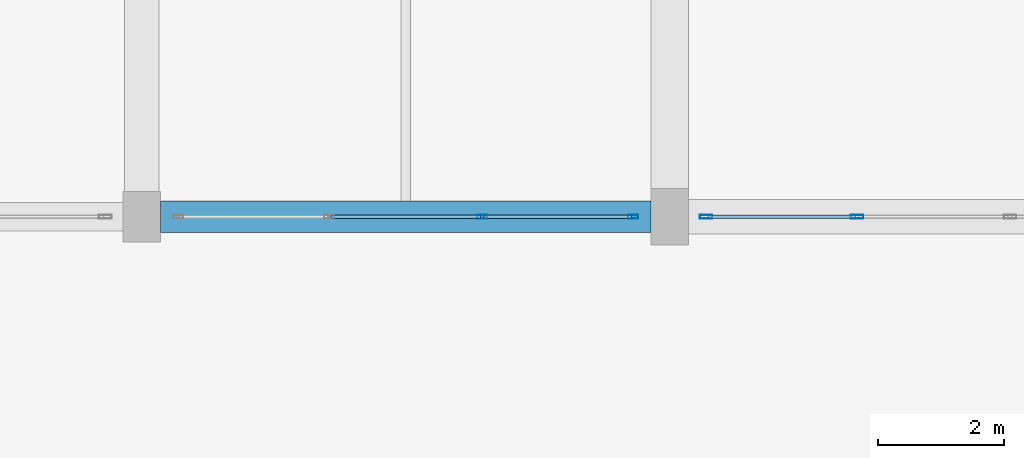
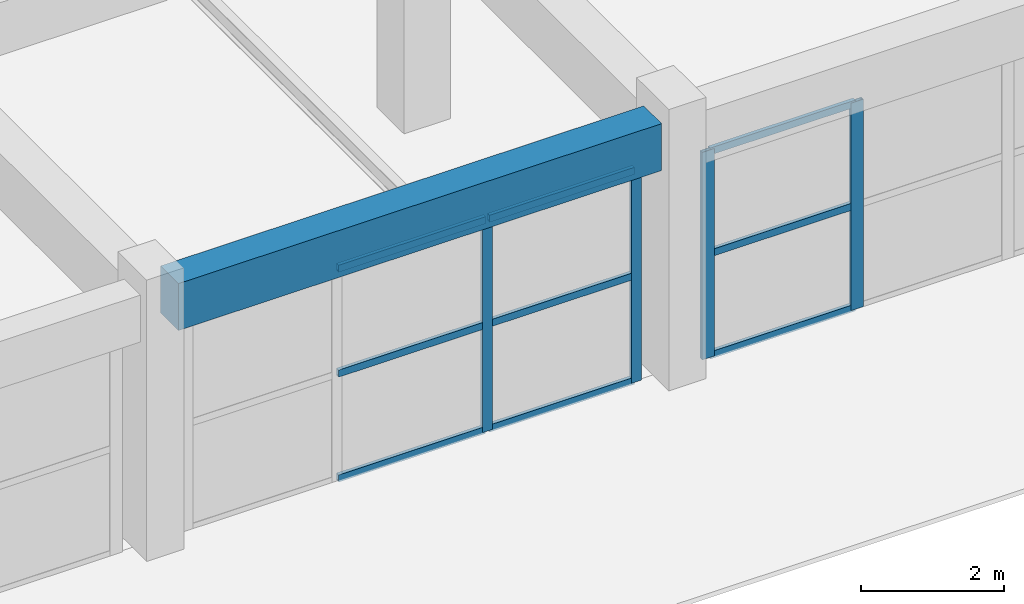
# One storey, part 15 of 72: 13 members, 1 beam, 2 elements without a shape of their own.
"""IFC4 building model written with IfcOpenShell, lengths in metres."""

from ifc_helpers import new_model, si_unit, direction, frame, origin, origin_2d, place, context, subcontext, project, spatial, rectangle, hollow_rectangle, extrude, material, material_profile, profile_set, type_object, element, aggregate, save


model = new_model("IFC4")

# Units and contexts
model_context = context("Model", 3, precision=1e-05, world=origin(), true_north=direction((0.0, 1.0)))
body_context = subcontext(model_context, "Body", "Model", "MODEL_VIEW")
ifc_project = project(units=[si_unit("LENGTHUNIT", "METRE"), si_unit("AREAUNIT", "SQUARE_METRE"), si_unit("VOLUMEUNIT", "CUBIC_METRE"), si_unit("PLANEANGLEUNIT", "RADIAN"), si_unit("MASSUNIT", "GRAM", prefix="KILO")], contexts=[model_context])

# Site, building, storey
site_placement = place(None, origin())
site = spatial("IfcSite", under=ifc_project, at=site_placement, CompositionType="ELEMENT")
building_placement = place(site_placement, origin())
building = spatial("IfcBuilding", under=site, at=building_placement, Name="Korsvaeld Concert Hall", CompositionType="ELEMENT")
storey_placement = place(building_placement, origin())
storey = spatial("IfcBuildingStorey", under=building, at=storey_placement, Name="L00", CompositionType="ELEMENT", Elevation=0.0)

# Beam
ifc_material_1 = material(Name="Concrete C40/50", Category="concrete")
ifc_material_profile_1 = material_profile(ifc_material_1, rectangle(XDim=0.5, YDim=0.800048828125, at=origin_2d()), Name="RC 500x800")
ifc_profile_set_1 = profile_set([ifc_material_profile_1], Name="Concrete C40/50")
beam_type = type_object("IfcBeamType", Name="BM-RC-500x800", PredefinedType="T_BEAM", material=ifc_profile_set_1)
beam_placement = place(storey_placement, frame((84.300048828125, 28.800048828125, 4.0400390625), z_axis=(1.0, 0.0, 0.0), x_axis=(0.0, 1.0, 0.0)))
element("IfcBeam", 1, at=beam_placement, inside=storey, type_object=beam_type, Name="Primary girder 12-13/E L00", PredefinedType="T_BEAM", context=body_context, shape_type="SweptSolid", body=[
    extrude(rectangle(XDim=0.5, YDim=0.800048828125, at=origin_2d()), origin(), (0.0, 0.0, 1.0), 7.800048828125),
])

# Curtain wall, members
ifc_material_2 = material(Name="Anodised bronze and ceramic-fritted safety glass", Category="glass")
curtain_wall_type_1 = type_object("IfcCurtainWallType", Name="CW-TYPE-11", PredefinedType="USERDEFINED", material=ifc_material_2)
curtain_wall_1_placement = place(storey_placement, origin())
curtain_wall_1 = element("IfcCurtainWall", 2, at=curtain_wall_1_placement, inside=storey, type_object=curtain_wall_type_1, Name="Wintergarden foyer curtain wall L00-03", ObjectType="CURTAIN WALL", PredefinedType="USERDEFINED")
ifc_material_3 = material(Name="Anodised architectural bronze aluminium", Category="aluminium")
ifc_material_profile_2 = material_profile(ifc_material_3, hollow_rectangle(XDim=0.06005859375, YDim=0.159912109375, WallThickness=0.00390625, at=origin_2d()), Name="CWM 160x60x4")
ifc_profile_set_2 = profile_set([ifc_material_profile_2], Name="Anodised architectural bronze aluminium")
member_type_1 = type_object("IfcMemberType", Name="CWM-ALUM-160x60", PredefinedType="MULLION", material=ifc_profile_set_2)
member_1_placement = place(storey_placement, frame((91.820068359375, 28.800048828125, 0.0), z_axis=(0.0, 0.0, 1.0), x_axis=(0.0, -1.0, 0.0)))
member_1 = element("IfcMember", 3, at=member_1_placement, type_object=member_type_1, Name="CW-11 mullion 1", PredefinedType="MULLION", context=body_context, shape_type="SweptSolid", body=[
    extrude(hollow_rectangle(XDim=0.06005859375, YDim=0.159912109375, WallThickness=0.00390625, at=origin_2d()), origin(), (0.0, 0.0, 1.0), 3.639892578125),
])
member_2_placement = place(storey_placement, frame((89.416748046875, 28.800048828125, 0.0), z_axis=(0.0, 0.0, 1.0), x_axis=(0.0, -1.0, 0.0)))
member_2 = element("IfcMember", 4, at=member_2_placement, type_object=member_type_1, Name="CW-11 mullion 2", PredefinedType="MULLION", context=body_context, shape_type="SweptSolid", body=[
    extrude(hollow_rectangle(XDim=0.06005859375, YDim=0.159912109375, WallThickness=0.00390625, at=origin_2d()), origin(), (0.0, 0.0, 1.0), 3.639892578125),
])

curtain_wall_type_2 = type_object("IfcCurtainWallType", Name="CW-TYPE-10", PredefinedType="USERDEFINED", material=ifc_material_2)
curtain_wall_2_placement = place(storey_placement, origin())
curtain_wall_2 = element("IfcCurtainWall", 5, at=curtain_wall_2_placement, inside=storey, type_object=curtain_wall_type_2, Name="Wintergarden foyer curtain wall L00-02", ObjectType="CURTAIN WALL", PredefinedType="USERDEFINED")
ifc_material_profile_3 = material_profile(ifc_material_3, hollow_rectangle(XDim=0.06005859375, YDim=0.199951171875, WallThickness=0.0048828125, at=origin_2d()), Name="CWM 200x60x5")
ifc_profile_set_3 = profile_set([ifc_material_profile_3], Name="Anodised architectural bronze aluminium")
member_type_2 = type_object("IfcMemberType", Name="CWM-ALUM-200x60", PredefinedType="MULLION", material=ifc_profile_set_3)
member_3_placement = place(storey_placement, frame((95.38330078125, 28.800048828125, 0.0), z_axis=(0.0, 0.0, 1.0), x_axis=(0.0, -1.0, 0.0)))
member_3 = element("IfcMember", 6, at=member_3_placement, type_object=member_type_2, Name="CW-10 mullion 3", PredefinedType="MULLION", context=body_context, shape_type="SweptSolid", body=[
    extrude(hollow_rectangle(XDim=0.06005859375, YDim=0.199951171875, WallThickness=0.0048828125, at=origin_2d()), origin(), (0.0, 0.0, 1.0), 3.5400390625),
])
member_4_placement = place(storey_placement, frame((92.97998046875, 28.800048828125, 0.0), z_axis=(0.0, 0.0, 1.0), x_axis=(0.0, -1.0, 0.0)))
member_4 = element("IfcMember", 7, at=member_4_placement, type_object=member_type_2, Name="CW-10 mullion 4", PredefinedType="MULLION", context=body_context, shape_type="SweptSolid", body=[
    extrude(hollow_rectangle(XDim=0.06005859375, YDim=0.199951171875, WallThickness=0.0048828125, at=origin_2d()), origin(), (0.0, 0.0, 1.0), 3.5400390625),
])
ifc_material_profile_4 = material_profile(ifc_material_3, hollow_rectangle(XDim=0.06005859375, YDim=0.1201171875, WallThickness=0.00390625, at=origin_2d()), Name="CWT 120x60x4")
ifc_profile_set_4 = profile_set([ifc_material_profile_4], Name="Anodised architectural bronze aluminium")
member_type_3 = type_object("IfcMemberType", Name="CWT-ALUM-120x60", PredefinedType="USERDEFINED", material=ifc_profile_set_4)
member_5_placement = place(storey_placement, frame((95.353271484375, 28.800048828125, 0.030029296875), z_axis=(-1.0, 0.0, 0.0), x_axis=(0.0, -1.0, 0.0)))
member_5 = element("IfcMember", 8, at=member_5_placement, type_object=member_type_3, Name="CW-10 transom 3.1", ObjectType="TRANSOM", PredefinedType="USERDEFINED", context=body_context, shape_type="SweptSolid", body=[
    extrude(hollow_rectangle(XDim=0.06005859375, YDim=0.1201171875, WallThickness=0.00390625, at=origin_2d()), origin(), (0.0, 0.0, 1.0), 2.34326171875),
])
member_6_placement = place(storey_placement, frame((95.353271484375, 28.800048828125, 1.77001953125), z_axis=(-1.0, 0.0, 0.0), x_axis=(0.0, -1.0, 0.0)))
member_6 = element("IfcMember", 9, at=member_6_placement, type_object=member_type_3, Name="CW-10 transom 3.2", ObjectType="TRANSOM", PredefinedType="USERDEFINED", context=body_context, shape_type="SweptSolid", body=[
    extrude(hollow_rectangle(XDim=0.06005859375, YDim=0.1201171875, WallThickness=0.00390625, at=origin_2d()), origin(), (0.0, 0.0, 1.0), 2.34326171875),
])
member_7_placement = place(storey_placement, frame((95.353271484375, 28.800048828125, 3.510009765625), z_axis=(-1.0, 0.0, 0.0), x_axis=(0.0, -1.0, 0.0)))
member_7 = element("IfcMember", 10, at=member_7_placement, type_object=member_type_3, Name="CW-10 transom 3.3", ObjectType="TRANSOM", PredefinedType="USERDEFINED", context=body_context, shape_type="SweptSolid", body=[
    extrude(hollow_rectangle(XDim=0.06005859375, YDim=0.1201171875, WallThickness=0.00390625, at=origin_2d()), origin(), (0.0, 0.0, 1.0), 2.34326171875),
])
aggregate(curtain_wall_2, [member_3, member_4, member_5, member_6, member_7])

# Member
member_8_placement = place(storey_placement, frame((91.7900390625, 28.800048828125, 0.030029296875), z_axis=(-1.0, 0.0, 0.0), x_axis=(0.0, -1.0, 0.0)))
member_8 = element("IfcMember", 11, at=member_8_placement, type_object=member_type_3, Name="CW-11 transom 1.1", ObjectType="TRANSOM", PredefinedType="USERDEFINED", context=body_context, shape_type="SweptSolid", body=[
    extrude(hollow_rectangle(XDim=0.06005859375, YDim=0.1201171875, WallThickness=0.00390625, at=origin_2d()), origin(), (0.0, 0.0, 1.0), 2.34326171875),
])

member_9_placement = place(storey_placement, frame((91.7900390625, 28.800048828125, 1.820068359375), z_axis=(-1.0, 0.0, 0.0), x_axis=(0.0, -1.0, 0.0)))
member_9 = element("IfcMember", 12, at=member_9_placement, type_object=member_type_3, Name="CW-11 transom 1.2", ObjectType="TRANSOM", PredefinedType="USERDEFINED", context=body_context, shape_type="SweptSolid", body=[
    extrude(hollow_rectangle(XDim=0.06005859375, YDim=0.1201171875, WallThickness=0.00390625, at=origin_2d()), origin(), (0.0, 0.0, 1.0), 2.34326171875),
])

member_10_placement = place(storey_placement, frame((91.7900390625, 28.800048828125, 3.610107421875), z_axis=(-1.0, 0.0, 0.0), x_axis=(0.0, -1.0, 0.0)))
member_10 = element("IfcMember", 13, at=member_10_placement, type_object=member_type_3, Name="CW-11 transom 1.3", ObjectType="TRANSOM", PredefinedType="USERDEFINED", context=body_context, shape_type="SweptSolid", body=[
    extrude(hollow_rectangle(XDim=0.06005859375, YDim=0.1201171875, WallThickness=0.00390625, at=origin_2d()), origin(), (0.0, 0.0, 1.0), 2.34326171875),
])

member_11_placement = place(storey_placement, frame((89.38671875, 28.800048828125, 0.030029296875), z_axis=(-1.0, 0.0, 0.0), x_axis=(0.0, -1.0, 0.0)))
member_11 = element("IfcMember", 14, at=member_11_placement, type_object=member_type_3, Name="CW-11 transom 2.1", ObjectType="TRANSOM", PredefinedType="USERDEFINED", context=body_context, shape_type="SweptSolid", body=[
    extrude(hollow_rectangle(XDim=0.06005859375, YDim=0.1201171875, WallThickness=0.00390625, at=origin_2d()), origin(), (0.0, 0.0, 1.0), 2.373291015625),
])

member_12_placement = place(storey_placement, frame((89.38671875, 28.800048828125, 1.820068359375), z_axis=(-1.0, 0.0, 0.0), x_axis=(0.0, -1.0, 0.0)))
member_12 = element("IfcMember", 15, at=member_12_placement, type_object=member_type_3, Name="CW-11 transom 2.2", ObjectType="TRANSOM", PredefinedType="USERDEFINED", context=body_context, shape_type="SweptSolid", body=[
    extrude(hollow_rectangle(XDim=0.06005859375, YDim=0.1201171875, WallThickness=0.00390625, at=origin_2d()), origin(), (0.0, 0.0, 1.0), 2.373291015625),
])

member_13_placement = place(storey_placement, frame((89.38671875, 28.800048828125, 3.610107421875), z_axis=(-1.0, 0.0, 0.0), x_axis=(0.0, -1.0, 0.0)))
member_13 = element("IfcMember", 16, at=member_13_placement, type_object=member_type_3, Name="CW-11 transom 2.3", ObjectType="TRANSOM", PredefinedType="USERDEFINED", context=body_context, shape_type="SweptSolid", body=[
    extrude(hollow_rectangle(XDim=0.06005859375, YDim=0.1201171875, WallThickness=0.00390625, at=origin_2d()), origin(), (0.0, 0.0, 1.0), 2.373291015625),
])

aggregate(curtain_wall_1, [member_1, member_2, member_8, member_9, member_10, member_11, member_12, member_13])

save(model, "model.ifc")
